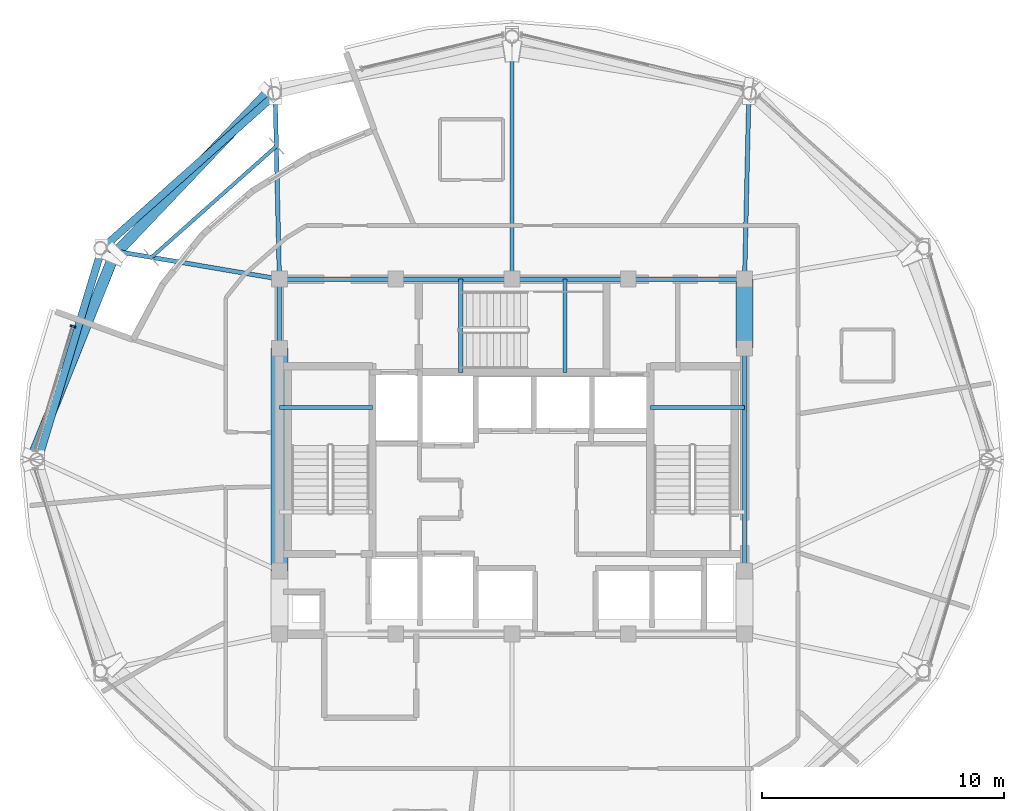
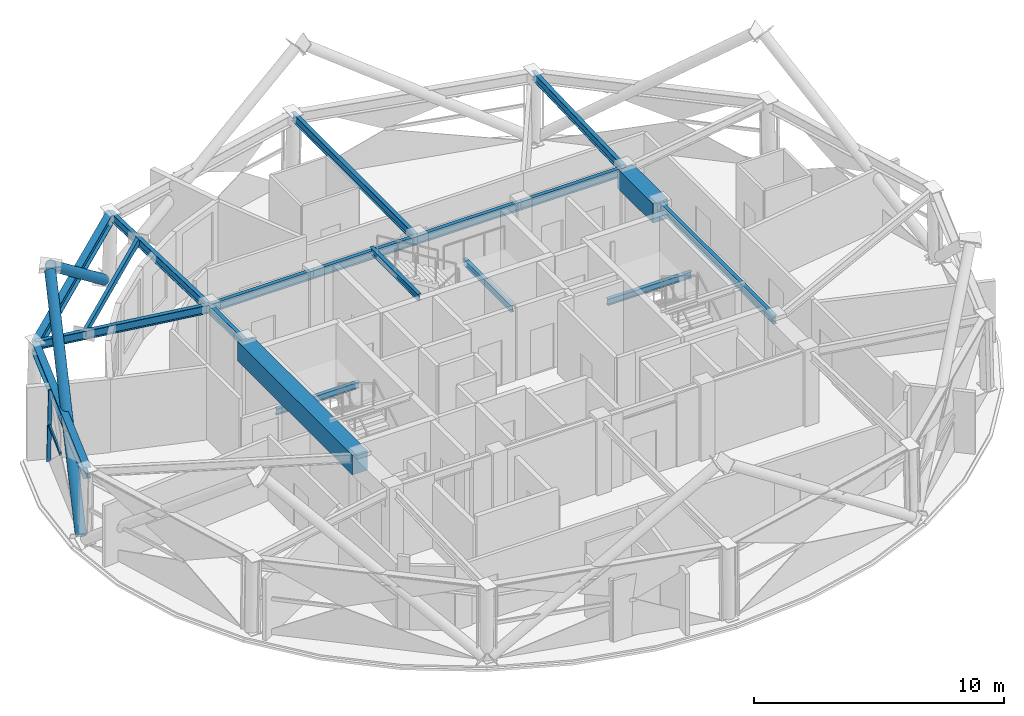
# One storey, part 3 of 15: 19 beams, 4 members, 1 element without a shape of its own.
"""IFC4 building model written with IfcOpenShell, lengths in metres."""

from ifc_helpers import new_model, si_unit, direction, frame, origin, origin_2d, place, context, subcontext, project, spatial, rectangle, hollow_rectangle, hollow_circle, i_section, extrude, material, layer, layer_set, material_profile, profile_set, type_object, element, aggregate, save


model = new_model("IFC4")

# Units and contexts
model_context = context("Model", 3, precision=1e-05, world=origin(), true_north=direction((0.0, 1.0)))
body_context = subcontext(model_context, "Body", "Model", "MODEL_VIEW")
ifc_project = project(units=[si_unit("LENGTHUNIT", "METRE"), si_unit("AREAUNIT", "SQUARE_METRE"), si_unit("VOLUMEUNIT", "CUBIC_METRE"), si_unit("PLANEANGLEUNIT", "RADIAN"), si_unit("MASSUNIT", "GRAM", prefix="KILO")], contexts=[model_context])

# Site, building, storey
site_placement = place(None, origin())
site = spatial("IfcSite", under=ifc_project, at=site_placement, CompositionType="ELEMENT")
building_placement = place(site_placement, origin())
building = spatial("IfcBuilding", under=site, at=building_placement, Name="Vantalir Tower", CompositionType="ELEMENT")
storey_placement = place(building_placement, frame((0.0, 0.0, 275.10009765625)))
storey = spatial("IfcBuildingStorey", under=building, at=storey_placement, Name="L69", CompositionType="ELEMENT", Elevation=275.10009765625)

# Beams
ifc_material_1 = material(Name="Concrete C60/75", Category="concrete")
ifc_material_profile_1 = material_profile(ifc_material_1, rectangle(XDim=0.699951171875, YDim=0.949951171875, at=origin_2d()), Name="Concrete C60/75")
ifc_profile_set_1 = profile_set([ifc_material_profile_1], Name="Concrete C60/75")
beam_type_1 = type_object("IfcBeamType", Name="BM-CB-700x950", PredefinedType="USERDEFINED", material=ifc_profile_set_1)
beam_1_placement = place(storey_placement, frame((41.10009765625, 29.60009765625, 3.094970703125), z_axis=(0.0, 1.0, 0.0), x_axis=(-1.0, 0.0, 0.0)))
element("IfcBeam", 1, at=beam_1_placement, inside=storey, type_object=beam_type_1, Name="L69 Core Coupling Girder 07", ObjectType="GIRDER", PredefinedType="USERDEFINED", context=body_context, shape_type="SweptSolid", body=[
    extrude(rectangle(XDim=0.699951171875, YDim=0.949951171875, at=origin_2d()), origin(), (0.0, 0.0, 1.0), 2.849853515625),
])
beam_2_placement = place(storey_placement, frame((21.89990234375, 29.60009765625, 3.094970703125), z_axis=(0.0, -1.0, 0.0), x_axis=(1.0, 0.0, 0.0)))
element("IfcBeam", 2, at=beam_2_placement, inside=storey, type_object=beam_type_1, Name="L69 Core Coupling Girder 13", ObjectType="GIRDER", PredefinedType="USERDEFINED", context=body_context, shape_type="SweptSolid", body=[
    extrude(rectangle(XDim=0.699951171875, YDim=0.949951171875, at=origin_2d()), origin(), (0.0, 0.0, 1.0), 9.2001953125),
])
ifc_material_2 = material(Name="Steel S355", Category="steel")
ifc_material_profile_2 = material_profile(ifc_material_2, i_section(OverallWidth=0.166015625, OverallDepth=0.306884765625, WebThickness=0.006591796875, FlangeThickness=0.01171875, at=origin_2d()), Name="Steel S355")
ifc_profile_set_2 = profile_set([ifc_material_profile_2], Name="Steel S355")
beam_type_2 = type_object("IfcBeamType", Name="BM-JS-305x165", PredefinedType="JOIST", material=ifc_profile_set_2)
beam_3_placement = place(storey_placement, frame((21.89990234375, 27.14501953125, 1.52099609375), z_axis=(1.0, 0.0, 0.0), x_axis=(0.0, 1.0, 0.0)))
element("IfcBeam", 3, at=beam_3_placement, inside=storey, type_object=beam_type_2, Name="L69 Stair ST1 Half-Landing Support Beam", PredefinedType="JOIST", context=body_context, shape_type="SweptSolid", body=[
    extrude(i_section(OverallWidth=0.166015625, OverallDepth=0.306884765625, WebThickness=0.006591796875, FlangeThickness=0.01171875, at=origin_2d()), origin(), (0.0, 0.0, 1.0), 3.840087890625),
])
beam_4_placement = place(storey_placement, frame((37.2099609375, 27.14501953125, 1.52099609375), z_axis=(1.0, 0.0, 0.0), x_axis=(0.0, 1.0, 0.0)))
element("IfcBeam", 4, at=beam_4_placement, inside=storey, type_object=beam_type_2, Name="L69 Stair ST2 Half-Landing Support Beam", PredefinedType="JOIST", context=body_context, shape_type="SweptSolid", body=[
    extrude(i_section(OverallWidth=0.166015625, OverallDepth=0.306884765625, WebThickness=0.006591796875, FlangeThickness=0.01171875, at=origin_2d()), origin(), (0.0, 0.0, 1.0), 3.89013671875),
])
for number, where, z_axis, x_axis, name in (
    (5, (29.385009765625, 28.60009765625, 3.595947265625), (0.0, 1.0, 0.0), (-1.0, 0.0, 0.0), "L70 Stair ST3 Well Nosing Trimmer Beam"),
    (6, (33.695068359375, 28.60009765625, 1.52099609375), (0.0, 1.0, 0.0), (-1.0, 0.0, 0.0), "L69 Stair ST3 Half-Landing Support Beam"),
):
    element("IfcBeam", number, at=place(storey_placement, frame(where, z_axis=z_axis, x_axis=x_axis)), inside=storey, type_object=beam_type_2, Name=name, PredefinedType="JOIST", context=body_context, shape_type="SweptSolid", body=[
        extrude(i_section(OverallWidth=0.166015625, OverallDepth=0.306884765625, WebThickness=0.006591796875, FlangeThickness=0.01171875, at=origin_2d()), origin(), (0.0, 0.0, 1.0), 3.849853515625),
    ])
ifc_material_profile_3 = material_profile(ifc_material_2, i_section(OverallWidth=0.179931640625, OverallDepth=0.4130859375, WebThickness=0.009521484375, FlangeThickness=0.01611328125, at=origin_2d()), Name="Steel S355")
ifc_profile_set_3 = profile_set([ifc_material_profile_3], Name="Steel S355")
beam_type_3 = type_object("IfcBeamType", Name="BM-RB-406x178", PredefinedType="BEAM", material=ifc_profile_set_3)
beam_5_placement = place(storey_placement, frame((41.10009765625, 20.39990234375, 3.364013671875), z_axis=(0.0, 1.0, 0.0), x_axis=(-1.0, 0.0, 0.0)))
element("IfcBeam", 7, at=beam_5_placement, inside=storey, type_object=beam_type_3, Name="L69 Core Coupling Girder 06", PredefinedType="BEAM", context=body_context, shape_type="SweptSolid", body=[
    extrude(i_section(OverallWidth=0.179931640625, OverallDepth=0.4130859375, WebThickness=0.009521484375, FlangeThickness=0.01611328125, at=origin_2d()), origin(), (0.0, 0.0, 1.0), 9.2001953125),
])
for number, where, z_axis, x_axis, name in (
    (8, (41.10009765625, 32.449951171875, 3.364013671875), (-1.0, 0.0, 0.0), (0.0, -1.0, 0.0), "L69 Core Coupling Girder 08"),
    (9, (36.300048828125, 32.449951171875, 3.364013671875), (-1.0, 0.0, 0.0), (0.0, -1.0, 0.0), "L69 Core Coupling Girder 09"),
    (10, (31.5, 32.449951171875, 3.364013671875), (-1.0, 0.0, 0.0), (0.0, -1.0, 0.0), "L69 Core Coupling Girder 10"),
    (11, (26.699951171875, 32.449951171875, 3.364013671875), (-1.0, 0.0, 0.0), (0.0, -1.0, 0.0), "L69 Core Coupling Girder 11"),
):
    element("IfcBeam", number, at=place(storey_placement, frame(where, z_axis=z_axis, x_axis=x_axis)), inside=storey, type_object=beam_type_3, Name=name, PredefinedType="BEAM", context=body_context, shape_type="SweptSolid", body=[
        extrude(i_section(OverallWidth=0.179931640625, OverallDepth=0.4130859375, WebThickness=0.009521484375, FlangeThickness=0.01611328125, at=origin_2d()), origin(), (0.0, 0.0, 1.0), 4.800048828125),
    ])
beam_6_placement = place(storey_placement, frame((21.89990234375, 32.449951171875, 3.364013671875), z_axis=(0.0, -1.0, 0.0), x_axis=(1.0, 0.0, 0.0)))
element("IfcBeam", 12, at=beam_6_placement, inside=storey, type_object=beam_type_3, Name="L69 Core Coupling Girder 12", PredefinedType="BEAM", context=body_context, shape_type="SweptSolid", body=[
    extrude(i_section(OverallWidth=0.179931640625, OverallDepth=0.4130859375, WebThickness=0.009521484375, FlangeThickness=0.01611328125, at=origin_2d()), origin(), (0.0, 0.0, 1.0), 2.849853515625),
])
beam_7_placement = place(storey_placement, frame((41.27490234375, 40.06494140625, 3.364013671875), z_axis=(-0.02294929394, -0.999736630272, 0.0), x_axis=(0.999736630272, -0.02294929394, 0.0)))
element("IfcBeam", 13, at=beam_7_placement, inside=storey, type_object=beam_type_3, Name="L69 Radial Floor Beam 03", PredefinedType="BEAM", context=body_context, shape_type="SweptSolid", body=[
    extrude(i_section(OverallWidth=0.179931640625, OverallDepth=0.4130859375, WebThickness=0.009521484375, FlangeThickness=0.01611328125, at=origin_2d()), origin(), (0.0, 0.0, 1.0), 7.616943359375),
])
beam_8_placement = place(storey_placement, frame((31.5, 42.39599609375, 3.364013671875), z_axis=(0.0, -1.0, 0.0), x_axis=(1.0, 0.0, 0.0)))
element("IfcBeam", 14, at=beam_8_placement, inside=storey, type_object=beam_type_3, Name="L69 Radial Floor Beam 04", PredefinedType="BEAM", context=body_context, shape_type="SweptSolid", body=[
    extrude(i_section(OverallWidth=0.179931640625, OverallDepth=0.4130859375, WebThickness=0.009521484375, FlangeThickness=0.01611328125, at=origin_2d()), origin(), (0.0, 0.0, 1.0), 9.946044921875),
])
beam_9_placement = place(storey_placement, frame((21.72509765625, 40.06494140625, 3.364013671875), z_axis=(0.02294929394, -0.999736630272, 0.0), x_axis=(0.999736630272, 0.02294929394, 0.0)))
element("IfcBeam", 15, at=beam_9_placement, inside=storey, type_object=beam_type_3, Name="L69 Radial Floor Beam 05", PredefinedType="BEAM", context=body_context, shape_type="SweptSolid", body=[
    extrude(i_section(OverallWidth=0.179931640625, OverallDepth=0.4130859375, WebThickness=0.009521484375, FlangeThickness=0.01611328125, at=origin_2d()), origin(), (0.0, 0.0, 1.0), 7.616943359375),
])
beam_10_placement = place(storey_placement, frame((14.569091796875, 33.697998046875, 3.364013671875), z_axis=(0.98581562279, -0.167831933383, 0.0), x_axis=(0.167831933383, 0.98581562279, 0.0)))
element("IfcBeam", 16, at=beam_10_placement, inside=storey, type_object=beam_type_3, Name="L69 Radial Floor Beam 06", PredefinedType="BEAM", context=body_context, shape_type="SweptSolid", body=[
    extrude(i_section(OverallWidth=0.179931640625, OverallDepth=0.4130859375, WebThickness=0.009521484375, FlangeThickness=0.01611328125, at=origin_2d()), origin(), (0.0, 0.0, 1.0), 7.436279296875),
])
ifc_material_3 = material(Name="Steel S460", Category="steel")
ifc_material_profile_4 = material_profile(ifc_material_3, i_section(OverallWidth=0.31201171875, OverallDepth=0.5419921875, WebThickness=0.0126953125, FlangeThickness=0.020263671875, at=origin_2d()), Name="Steel S460")
ifc_profile_set_4 = profile_set([ifc_material_profile_4], Name="Steel S460")
beam_type_4 = type_object("IfcBeamType", Name="BM-RG-533x312", PredefinedType="USERDEFINED", material=ifc_profile_set_4)
beam_11_placement = place(storey_placement, frame((21.72509765625, 40.06494140625, 3.298828125), z_axis=(-0.747095638048, -0.664716561859, 0.0), x_axis=(0.664716561859, -0.747095638048, 0.0)))
element("IfcBeam", 17, at=beam_11_placement, inside=storey, type_object=beam_type_4, Name="L69 Circumferential Ring Girder 05", ObjectType="GIRDER", PredefinedType="USERDEFINED", context=body_context, shape_type="SweptSolid", body=[
    extrude(i_section(OverallWidth=0.31201171875, OverallDepth=0.5419921875, WebThickness=0.0126953125, FlangeThickness=0.020263671875, at=origin_2d()), origin(), (0.0, 0.0, 1.0), 9.578369140625),
])
beam_12_placement = place(storey_placement, frame((14.569091796875, 33.697998046875, 3.298828125), z_axis=(-0.288331563438, -0.957530631116, 0.0), x_axis=(0.957530631116, -0.288331563438, 0.0)))
element("IfcBeam", 18, at=beam_12_placement, inside=storey, type_object=beam_type_4, Name="L69 Circumferential Ring Girder 06", ObjectType="GIRDER", PredefinedType="USERDEFINED", context=body_context, shape_type="SweptSolid", body=[
    extrude(i_section(OverallWidth=0.31201171875, OverallDepth=0.5419921875, WebThickness=0.0126953125, FlangeThickness=0.020263671875, at=origin_2d()), origin(), (0.0, 0.0, 1.0), 9.083740234375),
])
ifc_material_profile_5 = material_profile(ifc_material_2, hollow_rectangle(XDim=0.14990234375, YDim=0.300048828125, WallThickness=0.011962890625, at=origin_2d()), Name="Steel S355")
ifc_profile_set_5 = profile_set([ifc_material_profile_5], Name="Steel S355")
beam_type_5 = type_object("IfcBeamType", Name="BM-SP-300x150", PredefinedType="LINTEL", material=ifc_profile_set_5)
beam_13_placement = place(storey_placement, frame((21.77392578125, 37.93310546875, 3.419921875), z_axis=(-0.747081075263, -0.664732929065, 0.0), x_axis=(0.664732929065, -0.747081075263, 0.0)))
element("IfcBeam", 19, at=beam_13_placement, inside=storey, type_object=beam_type_5, Name="L69 SG4 Recessed Edge Lintel 1", PredefinedType="LINTEL", context=body_context, shape_type="SweptSolid", body=[
    extrude(hollow_rectangle(XDim=0.14990234375, YDim=0.300048828125, WallThickness=0.011962890625, at=origin_2d()), origin(), (0.0, 0.0, 1.0), 6.89599609375),
])

# Curtain wall, members
ifc_material_4 = material(Name="Champagne-silver PVDF aluminium and double-silver Low-E glass", Category="aluminium")
ifc_layer = layer(ifc_material_4, 0.219970703125)
ifc_layer_set = layer_set([ifc_layer], Name="Champagne-silver PVDF aluminium and double-silver Low-E glass")
curtain_wall_type = type_object("IfcCurtainWallType", Name="CW-DIAMOND-Z4", PredefinedType="USERDEFINED", material=ifc_layer_set)
curtain_wall_placement = place(storey_placement, origin())
curtain_wall = element("IfcCurtainWall", 20, at=curtain_wall_placement, inside=storey, type_object=curtain_wall_type, Name="L69 Quilted Pyramid-Diamond Curtain Wall S06", ObjectType="UNITISED CURTAIN WALL", PredefinedType="USERDEFINED")
ifc_material_5 = material(Name="Champagne-silver PVDF aluminium 6063-T6", Category="aluminium")
ifc_material_profile_6 = material_profile(ifc_material_5, hollow_rectangle(XDim=0.070068359375, YDim=0.1650390625, WallThickness=0.00390625, at=origin_2d()), Name="Champagne-silver PVDF aluminium 6063-T6")
ifc_profile_set_6 = profile_set([ifc_material_profile_6], Name="Champagne-silver PVDF aluminium 6063-T6")
member_type_1 = type_object("IfcMemberType", Name="CWM-165x70", PredefinedType="MULLION", material=ifc_profile_set_6)
member_1_placement = place(storey_placement, frame((13.337890625, 30.512939453125, 0.044921875), z_axis=(0.020971459058, -0.006873588587, 0.999756446183), x_axis=(0.311456580854, 0.950260384443, 0.0)))
member_1 = element("IfcMember", 21, at=member_1_placement, type_object=member_type_1, Name="CW-L69-S06 Mullion 1", PredefinedType="MULLION", context=body_context, shape_type="SweptSolid", body=[
    extrude(hollow_rectangle(XDim=0.070068359375, YDim=0.1650390625, WallThickness=0.00390625, at=origin_2d()), origin(), (0.0, 0.0, 1.0), 3.480712890625),
])
ifc_material_profile_7 = material_profile(ifc_material_5, hollow_rectangle(XDim=0.074951171875, YDim=0.159912109375, WallThickness=0.00390625, at=origin_2d()), Name="Champagne-silver PVDF aluminium 6063-T6")
ifc_profile_set_7 = profile_set([ifc_material_profile_7], Name="Champagne-silver PVDF aluminium 6063-T6")
member_type_2 = type_object("IfcMemberType", Name="CWT-160x75", PredefinedType="USERDEFINED", material=ifc_profile_set_7)
member_2_placement = place(storey_placement, frame((13.3740234375, 30.5009765625, 1.784912109375), z_axis=(-0.298991367642, -0.954255815846, 0.0), x_axis=(0.954255815846, -0.298991367642, 0.0)))
member_2 = element("IfcMember", 22, at=member_2_placement, type_object=member_type_2, Name="CW-L69-S06 Pyramid Fold Ridge Transom", ObjectType="TRANSOM", PredefinedType="USERDEFINED", context=body_context, shape_type="SweptSolid", body=[
    extrude(hollow_rectangle(XDim=0.074951171875, YDim=0.159912109375, WallThickness=0.00390625, at=origin_2d()), origin(), (0.0, 0.0, 1.0), 2.037353515625),
])
aggregate(curtain_wall, [member_1, member_2])

# Members
ifc_material_profile_8 = material_profile(ifc_material_3, hollow_circle(Radius=0.22998046875, WallThickness=0.028076171875, at=origin_2d()), Name="Steel S460")
ifc_profile_set_8 = profile_set([ifc_material_profile_8], Name="Steel S460")
member_type_3 = type_object("IfcMemberType", Name="MEM-DB-460x28", PredefinedType="BRACE", material=ifc_profile_set_8)
member_3_placement = place(storey_placement, frame((21.468994140625, 40.1650390625, 0.212890625), z_axis=(-0.549145510515, -0.577614493708, 0.603987338394), x_axis=(0.724741413117, -0.689020960576, 0.0)))
element("IfcMember", 23, at=member_3_placement, inside=storey, type_object=member_type_3, Name="L69 Perimeter S460 Diagrid Brace R13L", PredefinedType="BRACE", context=body_context, shape_type="SweptSolid", body=[
    extrude(hollow_circle(Radius=0.22998046875, WallThickness=0.028076171875, at=origin_2d()), origin(), (0.0, 0.0, 1.0), 11.414306640625),
])
member_4_placement = place(storey_placement, frame((11.7451171875, 25.159912109375, 0.2158203125), z_axis=(0.293452177569, 0.729193494326, 0.618193066374), x_axis=(-0.927696059501, 0.373336337887, 0.0)))
element("IfcMember", 24, at=member_4_placement, inside=storey, type_object=member_type_3, Name="L69 Perimeter S460 Diagrid Brace R19R", PredefinedType="BRACE", context=body_context, shape_type="SweptSolid", body=[
    extrude(hollow_circle(Radius=0.22998046875, WallThickness=0.028076171875, at=origin_2d()), origin(), (0.0, 0.0, 1.0), 11.142333984375),
])

save(model, "model.ifc")
